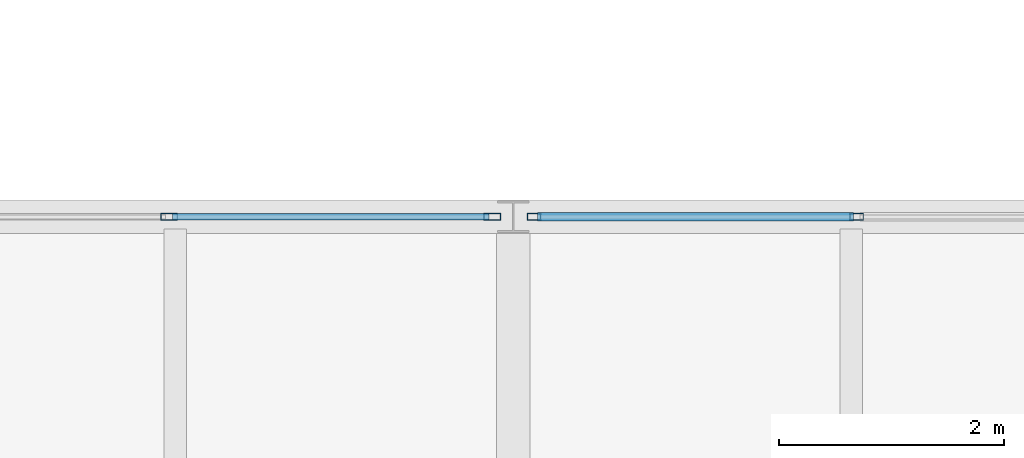
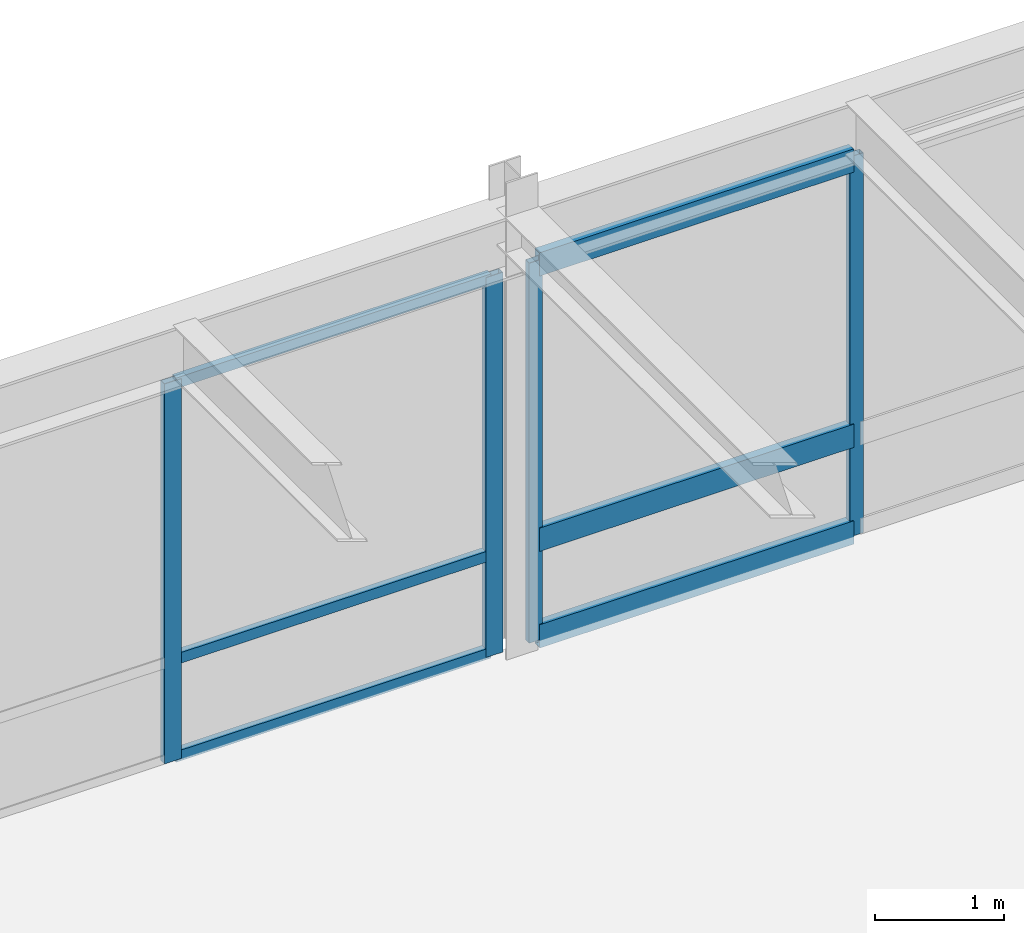
# One storey, part 60 of 127: 10 members, 2 elements without a shape of their own.
"""IFC4 building model written with IfcOpenShell, lengths in metres."""

from ifc_helpers import new_model, si_unit, direction, frame, origin, origin_2d, place, context, subcontext, project, spatial, hollow_rectangle, extrude, material, layer, layer_set, material_profile, profile_set, type_object, element, aggregate, save


model = new_model("IFC4")

# Units and contexts
model_context = context("Model", 3, precision=1e-05, world=origin(), true_north=direction((0.0, 1.0)))
body_context = subcontext(model_context, "Body", "Model", "MODEL_VIEW")
ifc_project = project(units=[si_unit("LENGTHUNIT", "METRE"), si_unit("AREAUNIT", "SQUARE_METRE"), si_unit("VOLUMEUNIT", "CUBIC_METRE"), si_unit("PLANEANGLEUNIT", "RADIAN"), si_unit("MASSUNIT", "GRAM", prefix="KILO")], contexts=[model_context])

# Site, building, storey
site_placement = place(None, origin())
site = spatial("IfcSite", under=ifc_project, at=site_placement, CompositionType="ELEMENT")
building_placement = place(site_placement, origin())
building = spatial("IfcBuilding", under=site, at=building_placement, Name="Montelvaro Courts of Justice", CompositionType="ELEMENT")
storey_placement = place(building_placement, frame((0.0, 0.0, 5.39990234375)))
storey = spatial("IfcBuildingStorey", under=building, at=storey_placement, Name="L01", CompositionType="ELEMENT", Elevation=5.39990234375)

# Curtain wall, members
ifc_material = material(Name="Anodised aluminium EN AW-6063", Category="aluminium")
ifc_layer = layer(ifc_material, 0.159912109375)
ifc_layer_set = layer_set([ifc_layer], Name="Anodised aluminium EN AW-6063")
curtain_wall_type = type_object("IfcCurtainWallType", Name="CurtainWall_18_868x418", PredefinedType="USERDEFINED", material=ifc_layer_set)
curtain_wall_1_placement = place(storey_placement, origin())
curtain_wall_1 = element("IfcCurtainWall", 1, at=curtain_wall_1_placement, inside=storey, type_object=curtain_wall_type, Name="Curtain Wall CW-18 (L01)", ObjectType="CURTAIN WALL", PredefinedType="USERDEFINED")
ifc_material_profile_1 = material_profile(ifc_material, hollow_rectangle(XDim=0.06005859375, YDim=0.1201171875, WallThickness=0.00341796875, at=origin_2d()), Name="ALU-M 60x120")
ifc_profile_set_1 = profile_set([ifc_material_profile_1], Name="Anodised aluminium EN AW-6063")
member_type_1 = type_object("IfcMemberType", Name="CurtainWall_Mullion_60x120", PredefinedType="MULLION", material=ifc_profile_set_1)
member_1_placement = place(storey_placement, frame((39.04833984375, 108.0, 0.0), z_axis=(0.0, 0.0, 1.0), x_axis=(0.0, -1.0, 0.0)))
member_1 = element("IfcMember", 2, at=member_1_placement, type_object=member_type_1, Name="CW-18 mullion 3", PredefinedType="MULLION", context=body_context, shape_type="SweptSolid", body=[
    extrude(hollow_rectangle(XDim=0.06005859375, YDim=0.1201171875, WallThickness=0.00341796875, at=origin_2d()), origin(), (0.0, 0.0, 1.0), 3.585205078125),
])
member_2_placement = place(storey_placement, frame((36.18505859375, 108.0, 0.0), z_axis=(0.0, 0.0, 1.0), x_axis=(0.0, -1.0, 0.0)))
member_2 = element("IfcMember", 3, at=member_2_placement, type_object=member_type_1, Name="CW-18 mullion 4", PredefinedType="MULLION", context=body_context, shape_type="SweptSolid", body=[
    extrude(hollow_rectangle(XDim=0.06005859375, YDim=0.1201171875, WallThickness=0.00341796875, at=origin_2d()), origin(), (0.0, 0.0, 1.0), 3.585205078125),
])

curtain_wall_2_placement = place(storey_placement, origin())
curtain_wall_2 = element("IfcCurtainWall", 4, at=curtain_wall_2_placement, inside=storey, type_object=curtain_wall_type, Name="Curtain Wall CW-18 (L01)", ObjectType="CURTAIN WALL", PredefinedType="USERDEFINED")
ifc_material_profile_2 = material_profile(ifc_material, hollow_rectangle(XDim=0.06005859375, YDim=0.14990234375, WallThickness=0.00390625, at=origin_2d()), Name="ALU-M 60x150")
ifc_profile_set_2 = profile_set([ifc_material_profile_2], Name="Anodised aluminium EN AW-6063")
member_type_2 = type_object("IfcMemberType", Name="CurtainWall_Mullion_60x150", PredefinedType="MULLION", material=ifc_profile_set_2)
member_3_placement = place(storey_placement, frame((35.81494140625, 108.0, 0.0), z_axis=(0.0, 0.0, 1.0), x_axis=(0.0, -1.0, 0.0)))
member_3 = element("IfcMember", 5, at=member_3_placement, type_object=member_type_2, Name="CW-18 mullion 1", PredefinedType="MULLION", context=body_context, shape_type="SweptSolid", body=[
    extrude(hollow_rectangle(XDim=0.06005859375, YDim=0.14990234375, WallThickness=0.00390625, at=origin_2d()), origin(), (0.0, 0.0, 1.0), 3.585205078125),
])
member_4_placement = place(storey_placement, frame((32.945068359375, 108.0, 0.0), z_axis=(0.0, 0.0, 1.0), x_axis=(0.0, -1.0, 0.0)))
member_4 = element("IfcMember", 6, at=member_4_placement, type_object=member_type_2, Name="CW-18 mullion 2", PredefinedType="MULLION", context=body_context, shape_type="SweptSolid", body=[
    extrude(hollow_rectangle(XDim=0.06005859375, YDim=0.14990234375, WallThickness=0.00390625, at=origin_2d()), origin(), (0.0, 0.0, 1.0), 3.585205078125),
])
ifc_material_profile_3 = material_profile(ifc_material, hollow_rectangle(XDim=0.06005859375, YDim=0.10009765625, WallThickness=0.00341796875, at=origin_2d()), Name="ALU-T 60x100")
ifc_profile_set_3 = profile_set([ifc_material_profile_3], Name="Anodised aluminium EN AW-6063")
member_type_3 = type_object("IfcMemberType", Name="CurtainWall_Transom_60x100", PredefinedType="USERDEFINED", material=ifc_profile_set_3)
member_5_placement = place(storey_placement, frame((35.784912109375, 108.0, 0.030029296875), z_axis=(-1.0, 0.0, 0.0), x_axis=(0.0, -1.0, 0.0)))
member_5 = element("IfcMember", 7, at=member_5_placement, type_object=member_type_3, Name="CW-18 transom 1.1", ObjectType="TRANSOM", PredefinedType="USERDEFINED", context=body_context, shape_type="SweptSolid", body=[
    extrude(hollow_rectangle(XDim=0.06005859375, YDim=0.10009765625, WallThickness=0.00341796875, at=origin_2d()), origin(), (0.0, 0.0, 1.0), 2.809814453125),
])
member_6_placement = place(storey_placement, frame((35.784912109375, 108.0, 0.9501953125), z_axis=(-1.0, 0.0, 0.0), x_axis=(0.0, -1.0, 0.0)))
member_6 = element("IfcMember", 8, at=member_6_placement, type_object=member_type_3, Name="CW-18 transom 1.2", ObjectType="TRANSOM", PredefinedType="USERDEFINED", context=body_context, shape_type="SweptSolid", body=[
    extrude(hollow_rectangle(XDim=0.06005859375, YDim=0.10009765625, WallThickness=0.00341796875, at=origin_2d()), origin(), (0.0, 0.0, 1.0), 2.809814453125),
])
member_7_placement = place(storey_placement, frame((35.784912109375, 108.0, 3.55517578125), z_axis=(-1.0, 0.0, 0.0), x_axis=(0.0, -1.0, 0.0)))
member_7 = element("IfcMember", 9, at=member_7_placement, type_object=member_type_3, Name="CW-18 transom 1.3", ObjectType="TRANSOM", PredefinedType="USERDEFINED", context=body_context, shape_type="SweptSolid", body=[
    extrude(hollow_rectangle(XDim=0.06005859375, YDim=0.10009765625, WallThickness=0.00341796875, at=origin_2d()), origin(), (0.0, 0.0, 1.0), 2.809814453125),
])
aggregate(curtain_wall_2, [member_3, member_4, member_5, member_6, member_7])

# Member
ifc_material_profile_4 = material_profile(ifc_material, hollow_rectangle(XDim=0.074951171875, YDim=0.219970703125, WallThickness=0.005615234375, at=origin_2d()), Name="ALU-T 75x220")
ifc_profile_set_4 = profile_set([ifc_material_profile_4], Name="Anodised aluminium EN AW-6063")
member_type_4 = type_object("IfcMemberType", Name="CurtainWall_Transom_75x220", PredefinedType="USERDEFINED", material=ifc_profile_set_4)
member_8_placement = place(storey_placement, frame((39.018310546875, 108.0, 0.03759765625), z_axis=(-1.0, 0.0, 0.0), x_axis=(0.0, -1.0, 0.0)))
member_8 = element("IfcMember", 10, at=member_8_placement, type_object=member_type_4, Name="CW-18 transom 3.1", ObjectType="TRANSOM", PredefinedType="USERDEFINED", context=body_context, shape_type="SweptSolid", body=[
    extrude(hollow_rectangle(XDim=0.074951171875, YDim=0.219970703125, WallThickness=0.005615234375, at=origin_2d()), origin(), (0.0, 0.0, 1.0), 2.80322265625),
])

member_9_placement = place(storey_placement, frame((39.018310546875, 108.0, 0.9501953125), z_axis=(-1.0, 0.0, 0.0), x_axis=(0.0, -1.0, 0.0)))
member_9 = element("IfcMember", 11, at=member_9_placement, type_object=member_type_4, Name="CW-18 transom 3.2", ObjectType="TRANSOM", PredefinedType="USERDEFINED", context=body_context, shape_type="SweptSolid", body=[
    extrude(hollow_rectangle(XDim=0.074951171875, YDim=0.219970703125, WallThickness=0.005615234375, at=origin_2d()), origin(), (0.0, 0.0, 1.0), 2.80322265625),
])

member_10_placement = place(storey_placement, frame((39.018310546875, 108.0, 3.547607421875), z_axis=(-1.0, 0.0, 0.0), x_axis=(0.0, -1.0, 0.0)))
member_10 = element("IfcMember", 12, at=member_10_placement, type_object=member_type_4, Name="CW-18 transom 3.3", ObjectType="TRANSOM", PredefinedType="USERDEFINED", context=body_context, shape_type="SweptSolid", body=[
    extrude(hollow_rectangle(XDim=0.074951171875, YDim=0.219970703125, WallThickness=0.005615234375, at=origin_2d()), origin(), (0.0, 0.0, 1.0), 2.80322265625),
])

aggregate(curtain_wall_1, [member_1, member_2, member_8, member_9, member_10])

save(model, "model.ifc")
